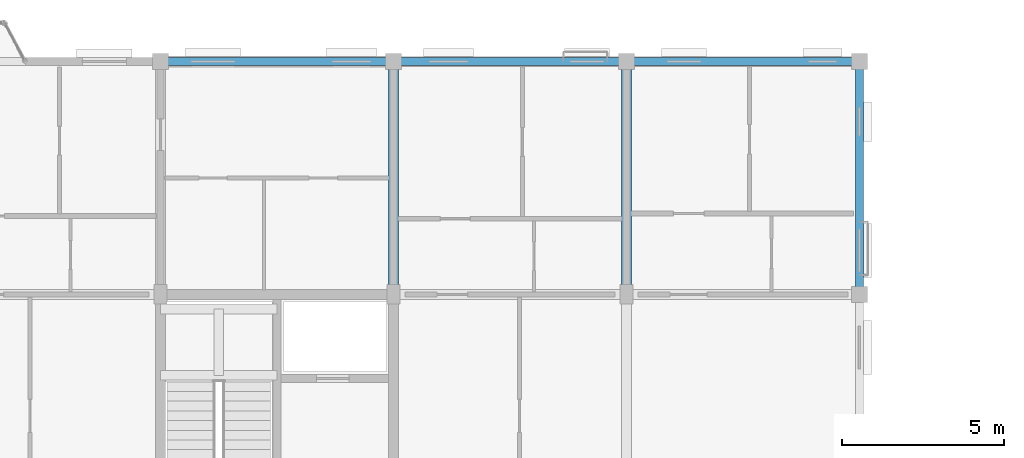
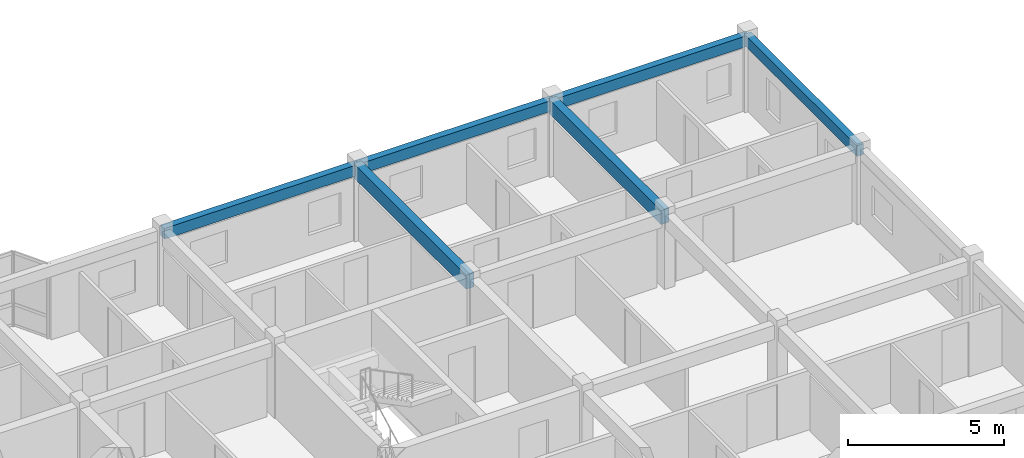
# One storey, part 12 of 38: 6 beams.
"""IFC4 building model written with IfcOpenShell, lengths in metres."""

from ifc_helpers import new_model, si_unit, direction, frame, origin, origin_2d, place, context, subcontext, project, spatial, rectangle, extrude, material, material_profile, profile_set, type_object, element, save


model = new_model("IFC4")

# Units and contexts
model_context = context("Model", 3, precision=1e-05, world=origin(), true_north=direction((0.0, 1.0)))
body_context = subcontext(model_context, "Body", "Model", "MODEL_VIEW")
ifc_project = project(units=[si_unit("LENGTHUNIT", "METRE"), si_unit("AREAUNIT", "SQUARE_METRE"), si_unit("VOLUMEUNIT", "CUBIC_METRE"), si_unit("PLANEANGLEUNIT", "RADIAN"), si_unit("MASSUNIT", "GRAM", prefix="KILO"), si_unit("THERMODYNAMICTEMPERATUREUNIT", "KELVIN"), si_unit("POWERUNIT", "WATT")], contexts=[model_context])

# Site, building, storey
site_placement = place(None, origin())
site = spatial("IfcSite", under=ifc_project, at=site_placement, CompositionType="ELEMENT")
building_placement = place(site_placement, origin())
building = spatial("IfcBuilding", under=site, at=building_placement, Name="Tavuni Mirador Residences", CompositionType="ELEMENT")
storey_placement = place(building_placement, frame((0.0, 0.0, 32.85009765625)))
storey = spatial("IfcBuildingStorey", under=building, at=storey_placement, Name="L10", CompositionType="ELEMENT", Elevation=32.85009765625)

# Beams
ifc_material = material(Name="Precast concrete C40/50", Category="concrete")
ifc_material_profile_1 = material_profile(ifc_material, rectangle(XDim=0.300048828125, YDim=0.550048828125, at=origin_2d()), Name="PC 300x550", Category="concrete")
ifc_profile_set_1 = profile_set([ifc_material_profile_1], Name="Precast concrete C40/50")
beam_type_1 = type_object("IfcBeamType", Name="BT-B550", PredefinedType="BEAM", material=ifc_profile_set_1)
for number, where, z_axis, x_axis, name in (
    (1, (46.800048828125, 165.60009765625, 2.60986328125), (0.0, 1.0, 0.0), (-1.0, 0.0, 0.0), "BMY-BLK-C-L10-05-03"),
    (2, (54.0, 165.60009765625, 2.60986328125), (0.0, 1.0, 0.0), (-1.0, 0.0, 0.0), "BMY-BLK-C-L10-06-03"),
):
    element("IfcBeam", number, at=place(storey_placement, frame(where, z_axis=z_axis, x_axis=x_axis)), inside=storey, type_object=beam_type_1, Name=name, PredefinedType="BEAM", context=body_context, shape_type="SweptSolid", body=[
        extrude(rectangle(XDim=0.300048828125, YDim=0.550048828125, at=origin_2d()), origin(), (0.0, 0.0, 1.0), 7.199951171875),
    ])
ifc_material_profile_2 = material_profile(ifc_material, rectangle(XDim=0.25, YDim=0.419921875, at=origin_2d()), Name="PC 250x420", Category="concrete")
ifc_profile_set_2 = profile_set([ifc_material_profile_2], Name="Precast concrete C40/50")
beam_type_2 = type_object("IfcBeamType", Name="BT-SP420", PredefinedType="SPANDREL", material=ifc_profile_set_2)
for number, where, z_axis, x_axis, name in (
    (3, (39.60009765625, 172.800048828125, 2.6748046875), (1.0, 0.0, 0.0), (0.0, 1.0, 0.0), "BMX-BLK-C-L10-04-04"),
    (4, (46.800048828125, 172.800048828125, 2.6748046875), (1.0, 0.0, 0.0), (0.0, 1.0, 0.0), "BMX-BLK-C-L10-05-04"),
    (5, (54.0, 172.800048828125, 2.6748046875), (1.0, 0.0, 0.0), (0.0, 1.0, 0.0), "BMX-BLK-C-L10-06-04"),
    (6, (61.199951171875, 165.60009765625, 2.6748046875), (0.0, 1.0, 0.0), (-1.0, 0.0, 0.0), "BMY-BLK-C-L10-07-03"),
):
    element("IfcBeam", number, at=place(storey_placement, frame(where, z_axis=z_axis, x_axis=x_axis)), inside=storey, type_object=beam_type_2, Name=name, PredefinedType="SPANDREL", context=body_context, shape_type="SweptSolid", body=[
        extrude(rectangle(XDim=0.25, YDim=0.419921875, at=origin_2d()), origin(), (0.0, 0.0, 1.0), 7.199951171875),
    ])

save(model, "model.ifc")
